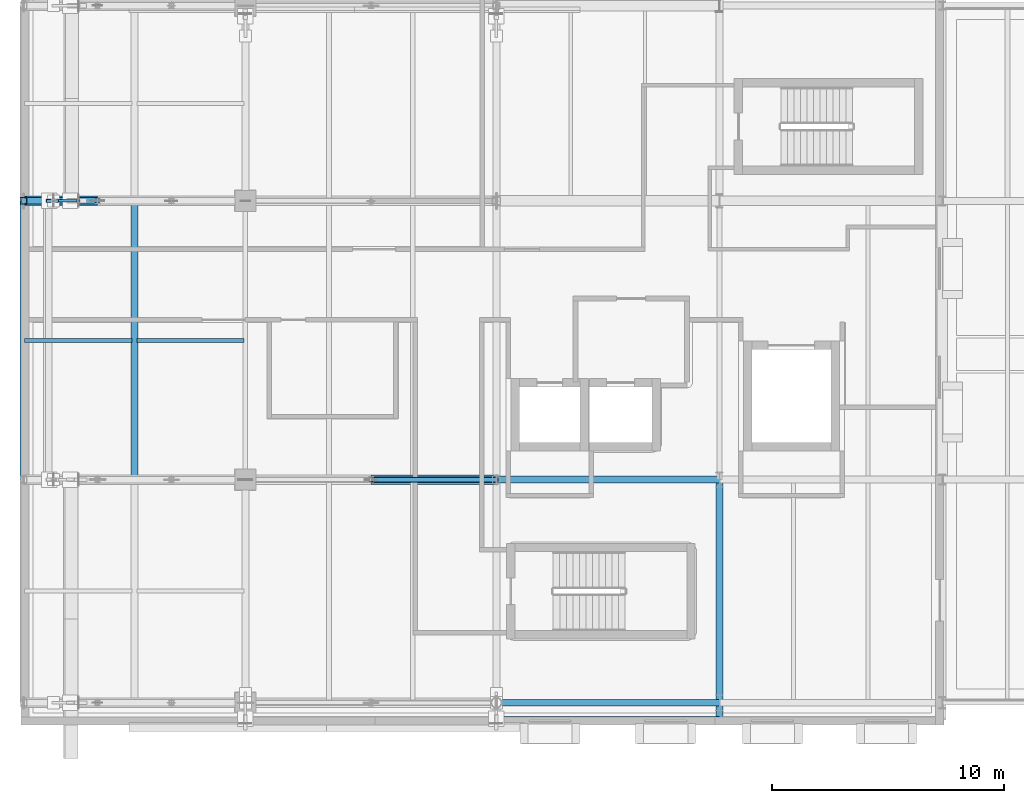
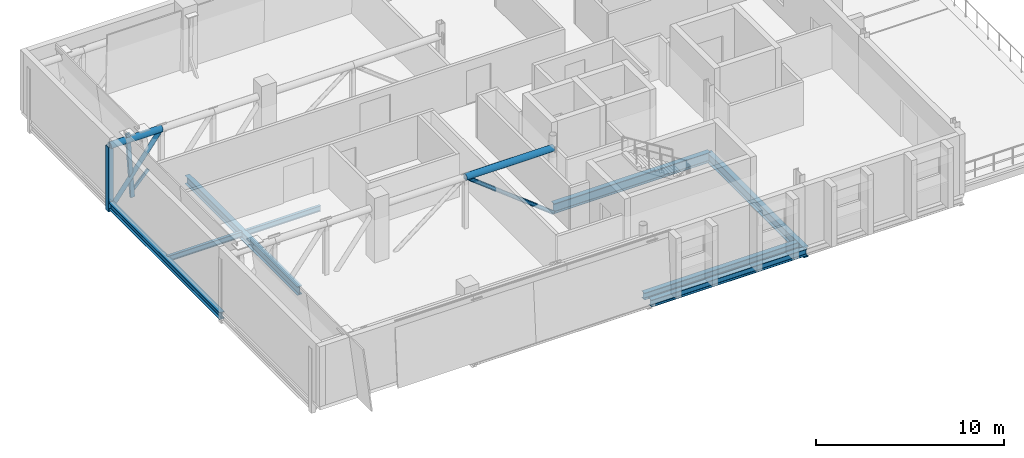
# One storey, part 11 of 89: 8 beams, 7 members.
"""IFC4 building model written with IfcOpenShell, lengths in metres."""

from ifc_helpers import new_model, si_unit, direction, frame, origin, origin_2d, place, context, subcontext, project, spatial, hollow_rectangle, hollow_circle, i_section, extrude, material, material_profile, profile_set, type_object, element, save


model = new_model("IFC4")

# Units and contexts
model_context = context("Model", 3, precision=1e-05, world=origin(), true_north=direction((0.0, 1.0)))
body_context = subcontext(model_context, "Body", "Model", "MODEL_VIEW")
ifc_project = project(units=[si_unit("LENGTHUNIT", "METRE"), si_unit("AREAUNIT", "SQUARE_METRE"), si_unit("VOLUMEUNIT", "CUBIC_METRE"), si_unit("PLANEANGLEUNIT", "RADIAN"), si_unit("MASSUNIT", "GRAM", prefix="KILO")], contexts=[model_context])

# Site, building, storey
site_placement = place(None, origin())
site = spatial("IfcSite", under=ifc_project, at=site_placement, CompositionType="ELEMENT")
building_placement = place(site_placement, origin())
building = spatial("IfcBuilding", under=site, at=building_placement, Name="Zereglee Splitstone Museum", CompositionType="ELEMENT")
storey_placement = place(building_placement, frame((0.0, 0.0, 21.300048828125)))
storey = spatial("IfcBuildingStorey", under=building, at=storey_placement, Name="L04", CompositionType="ELEMENT", Elevation=21.300048828125)

# Members
ifc_material_1 = material(Name="Steel S355J2H", Category="steel")
ifc_material_profile_1 = material_profile(ifc_material_1, hollow_circle(Radius=0.122314453125, WallThickness=0.012451171875, at=origin_2d()), Name="CHS 244.5x12.5")
ifc_profile_set_1 = profile_set([ifc_material_profile_1], Name="Steel S355J2H")
member_type_1 = type_object("IfcMemberType", Name="TB-02", PredefinedType="BRACE", material=ifc_profile_set_1)
member_1_placement = place(storey_placement, frame((20.39990234375, 9.60009765625, -0.900146484375), z_axis=(-0.78933300072, 0.0, 0.613965319847), x_axis=(0.0, -1.0, 0.0)))
element("IfcMember", 1, at=member_1_placement, inside=storey, type_object=member_type_1, Name="Cantilever Truss CT-02 Web Brace L04-5", PredefinedType="BRACE", context=body_context, shape_type="SweptSolid", body=[
    extrude(hollow_circle(Radius=0.122314453125, WallThickness=0.012451171875, at=origin_2d()), origin(), (0.0, 0.0, 1.0), 6.841064453125),
])
ifc_material_profile_2 = material_profile(ifc_material_1, hollow_circle(Radius=0.136474609375, WallThickness=0.012451171875, at=origin_2d()), Name="CHS 273.0x12.5")
ifc_profile_set_2 = profile_set([ifc_material_profile_2], Name="Steel S355J2H")
member_type_2 = type_object("IfcMemberType", Name="TB-01", PredefinedType="BRACE", material=ifc_profile_set_2)
member_2_placement = place(storey_placement, frame((0.050048828125, 21.60009765625, -0.900146484375), z_axis=(0.604024459, 0.0, 0.79696577902), x_axis=(0.0, 1.0, 0.0)))
element("IfcMember", 2, at=member_2_placement, inside=storey, type_object=member_type_2, Name="Cantilever Truss CT-03 Web Brace L04-1", PredefinedType="BRACE", context=body_context, shape_type="SweptSolid", body=[
    extrude(hollow_circle(Radius=0.136474609375, WallThickness=0.012451171875, at=origin_2d()), origin(), (0.0, 0.0, 1.0), 5.270263671875),
])
ifc_material_profile_3 = material_profile(ifc_material_1, hollow_circle(Radius=0.203125, WallThickness=0.02001953125, at=origin_2d()), Name="CHS 406.4x20")
ifc_profile_set_3 = profile_set([ifc_material_profile_3], Name="Steel S355J2H")
member_type_3 = type_object("IfcMemberType", Name="TC-03", PredefinedType="CHORD", material=ifc_profile_set_3)
member_3_placement = place(storey_placement, frame((15.0, 9.60009765625, 3.300048828125), z_axis=(1.0, 0.0, 0.0), x_axis=(0.0, 1.0, 0.0)))
element("IfcMember", 3, at=member_3_placement, inside=storey, type_object=member_type_3, Name="Cantilever Truss CT-02 Top Chord L04-5", PredefinedType="CHORD", context=body_context, shape_type="SweptSolid", body=[
    extrude(hollow_circle(Radius=0.203125, WallThickness=0.02001953125, at=origin_2d()), origin(), (0.0, 0.0, 1.0), 5.39990234375),
])
member_4_placement = place(storey_placement, frame((0.050048828125, 21.60009765625, 3.300048828125), z_axis=(1.0, 0.0, 0.0), x_axis=(0.0, 1.0, 0.0)))
element("IfcMember", 4, at=member_4_placement, inside=storey, type_object=member_type_3, Name="Cantilever Truss CT-03 Top Chord L04-1", PredefinedType="CHORD", context=body_context, shape_type="SweptSolid", body=[
    extrude(hollow_circle(Radius=0.203125, WallThickness=0.02001953125, at=origin_2d()), origin(), (0.0, 0.0, 1.0), 3.183349609375),
])

# Beams
ifc_material_2 = material(Name="Steel S355J2", Category="steel")
ifc_material_profile_4 = material_profile(ifc_material_2, i_section(OverallWidth=0.300048828125, OverallDepth=0.550048828125, WebThickness=0.014892578125, FlangeThickness=0.029052734375, FilletRadius=0.027099609375, at=origin_2d()), Name="HE 550 B")
ifc_profile_set_4 = profile_set([ifc_material_profile_4], Name="Steel S355J2")
beam_type_1 = type_object("IfcBeamType", Name="BG-11", PredefinedType="BEAM", material=ifc_profile_set_4)
beam_1_placement = place(storey_placement, frame((4.824951171875, 9.60009765625, -0.53515625), z_axis=(0.0, 1.0, 0.0), x_axis=(-1.0, 0.0, 0.0)))
element("IfcBeam", 5, at=beam_1_placement, inside=storey, type_object=beam_type_1, Name="Cantilever Transverse Girder L04 X=4.83", PredefinedType="BEAM", context=body_context, shape_type="SweptSolid", body=[
    extrude(i_section(OverallWidth=0.300048828125, OverallDepth=0.550048828125, WebThickness=0.014892578125, FlangeThickness=0.029052734375, FilletRadius=0.027099609375, at=origin_2d()), origin(), (0.0, 0.0, 1.0), 12.0),
])
ifc_material_profile_5 = material_profile(ifc_material_2, i_section(OverallWidth=0.300048828125, OverallDepth=0.64990234375, WebThickness=0.01611328125, FlangeThickness=0.031005859375, FilletRadius=0.027099609375, at=origin_2d()), Name="HE 650 B")
ifc_profile_set_5 = profile_set([ifc_material_profile_5], Name="Steel S355J2")
beam_type_2 = type_object("IfcBeamType", Name="BG-09", PredefinedType="BEAM", material=ifc_profile_set_5)
beam_2_placement = place(storey_placement, frame((20.39990234375, 9.60009765625, -0.5849609375), z_axis=(1.0, 0.0, 0.0), x_axis=(0.0, 1.0, 0.0)))
element("IfcBeam", 6, at=beam_2_placement, inside=storey, type_object=beam_type_2, Name="Primary Girder L04 B (20.4-30.0)", PredefinedType="BEAM", context=body_context, shape_type="SweptSolid", body=[
    extrude(i_section(OverallWidth=0.300048828125, OverallDepth=0.64990234375, WebThickness=0.01611328125, FlangeThickness=0.031005859375, FilletRadius=0.027099609375, at=origin_2d()), origin(), (0.0, 0.0, 1.0), 9.60009765625),
])
beam_3_placement = place(storey_placement, frame((30.0, -0.75, -0.5849609375), z_axis=(0.0, 1.0, 0.0), x_axis=(-1.0, 0.0, 0.0)))
element("IfcBeam", 7, at=beam_3_placement, inside=storey, type_object=beam_type_2, Name="Primary Girder L04 5 (-0.8-9.6)", PredefinedType="BEAM", context=body_context, shape_type="SweptSolid", body=[
    extrude(i_section(OverallWidth=0.300048828125, OverallDepth=0.64990234375, WebThickness=0.01611328125, FlangeThickness=0.031005859375, FilletRadius=0.027099609375, at=origin_2d()), origin(), (0.0, 0.0, 1.0), 10.35009765625),
])
ifc_material_profile_6 = material_profile(ifc_material_2, i_section(OverallWidth=0.169921875, OverallDepth=0.360107421875, WebThickness=0.008056640625, FlangeThickness=0.0126953125, FilletRadius=0.01806640625, at=origin_2d()), Name="IPE 360")
ifc_profile_set_6 = profile_set([ifc_material_profile_6], Name="Steel S355J2")
beam_type_3 = type_object("IfcBeamType", Name="BJ-04", PredefinedType="JOIST", material=ifc_profile_set_6)
beam_4_placement = place(storey_placement, frame((0.090087890625, 15.60009765625, -0.43994140625), z_axis=(1.0, 0.0, 0.0), x_axis=(0.0, 1.0, 0.0)))
element("IfcBeam", 8, at=beam_4_placement, inside=storey, type_object=beam_type_3, Name="Cantilever Floor Joist L04-1638", PredefinedType="JOIST", context=body_context, shape_type="SweptSolid", body=[
    extrude(i_section(OverallWidth=0.169921875, OverallDepth=0.360107421875, WebThickness=0.008056640625, FlangeThickness=0.0126953125, FilletRadius=0.01806640625, at=origin_2d()), origin(), (0.0, 0.0, 1.0), 4.635009765625),
])
beam_5_placement = place(storey_placement, frame((4.925048828125, 15.60009765625, -0.43994140625), z_axis=(1.0, 0.0, 0.0), x_axis=(0.0, 1.0, 0.0)))
element("IfcBeam", 9, at=beam_5_placement, inside=storey, type_object=beam_type_3, Name="Cantilever Floor Joist L04-1639", PredefinedType="JOIST", context=body_context, shape_type="SweptSolid", body=[
    extrude(i_section(OverallWidth=0.169921875, OverallDepth=0.360107421875, WebThickness=0.008056640625, FlangeThickness=0.0126953125, FilletRadius=0.01806640625, at=origin_2d()), origin(), (0.0, 0.0, 1.0), 4.625),
])

# Member
ifc_material_profile_7 = material_profile(ifc_material_1, hollow_rectangle(XDim=0.300048828125, YDim=0.300048828125, WallThickness=0.01611328125, at=origin_2d()), Name="SHS 300x300x16")
ifc_profile_set_7 = profile_set([ifc_material_profile_7], Name="Steel S355J2H")
member_type_4 = type_object("IfcMemberType", Name="TP-01", PredefinedType="POST", material=ifc_profile_set_7)
member_5_placement = place(storey_placement, frame((0.050048828125, 21.60009765625, -0.900146484375), z_axis=(0.0, 0.0, 1.0), x_axis=(1.0, 0.0, 0.0)))
element("IfcMember", 10, at=member_5_placement, inside=storey, type_object=member_type_4, Name="Cantilever Truss CT-03 Post L04-1", PredefinedType="POST", context=body_context, shape_type="SweptSolid", body=[
    extrude(hollow_rectangle(XDim=0.300048828125, YDim=0.300048828125, WallThickness=0.01611328125, at=origin_2d()), origin(), (0.0, 0.0, 1.0), 4.2001953125),
])

# Beams
ifc_material_profile_8 = material_profile(ifc_material_2, i_section(OverallWidth=0.300048828125, OverallDepth=0.449951171875, WebThickness=0.013916015625, FlangeThickness=0.02587890625, FilletRadius=0.027099609375, at=origin_2d()), Name="HE 450 B")
ifc_profile_set_8 = profile_set([ifc_material_profile_8], Name="Steel S355J2")
beam_type_4 = type_object("IfcBeamType", Name="SP-02", PredefinedType="SPANDREL", material=ifc_profile_set_8)
for number, where, z_axis, x_axis, name in (
    (11, (20.39990234375, 0.0, -0.485107421875), (1.0, 0.0, 0.0), (0.0, 1.0, 0.0), "Primary Girder L04 A (20.4-30.0)"),
    (12, (20.39990234375, -0.75, -0.485107421875), (1.0, 0.0, 0.0), (0.0, 1.0, 0.0), "Hovering Soffit Spandrel L04 (20.4-30.0)"),
):
    element("IfcBeam", number, at=place(storey_placement, frame(where, z_axis=z_axis, x_axis=x_axis)), inside=storey, type_object=beam_type_4, Name=name, PredefinedType="SPANDREL", context=body_context, shape_type="SweptSolid", body=[
        extrude(i_section(OverallWidth=0.300048828125, OverallDepth=0.449951171875, WebThickness=0.013916015625, FlangeThickness=0.02587890625, FilletRadius=0.027099609375, at=origin_2d()), origin(), (0.0, 0.0, 1.0), 9.60009765625),
    ])
beam_6_placement = place(storey_placement, frame((0.050048828125, 9.60009765625, -0.485107421875), z_axis=(0.0, 1.0, 0.0), x_axis=(-1.0, 0.0, 0.0)))
element("IfcBeam", 13, at=beam_6_placement, inside=storey, type_object=beam_type_4, Name="Cantilever Transverse Girder L04 X=0.05", PredefinedType="SPANDREL", context=body_context, shape_type="SweptSolid", body=[
    extrude(i_section(OverallWidth=0.300048828125, OverallDepth=0.449951171875, WebThickness=0.013916015625, FlangeThickness=0.02587890625, FilletRadius=0.027099609375, at=origin_2d()), origin(), (0.0, 0.0, 1.0), 12.0),
])

# Members
ifc_material_profile_9 = material_profile(ifc_material_1, hollow_rectangle(XDim=0.14990234375, YDim=0.25, WallThickness=0.010009765625, at=origin_2d()), Name="RHS 250x150x10")
ifc_profile_set_9 = profile_set([ifc_material_profile_9], Name="Steel S355J2H")
member_type_5 = type_object("IfcMemberType", Name="FS-R2", PredefinedType="STRUT", material=ifc_profile_set_9)
member_6_placement = place(storey_placement, frame((1.440185546875, 21.60009765625, -0.510009765625), z_axis=(-0.06775164097, 0.0, 0.997702217671), x_axis=(0.0, -1.0, 0.0)))
element("IfcMember", 14, at=member_6_placement, inside=storey, type_object=member_type_5, Name="Split-Rock Continuous Facet Strut FH-V1W-M L04-02", PredefinedType="STRUT", context=body_context, shape_type="SweptSolid", body=[
    extrude(hollow_rectangle(XDim=0.14990234375, YDim=0.25, WallThickness=0.010009765625, at=origin_2d()), origin(), (0.0, 0.0, 1.0), 4.2197265625),
])
ifc_material_profile_10 = material_profile(ifc_material_1, hollow_rectangle(XDim=0.10009765625, YDim=0.179931640625, WallThickness=0.008056640625, at=origin_2d()), Name="RHS 180x100x8")
ifc_profile_set_10 = profile_set([ifc_material_profile_10], Name="Steel S355J2H")
member_type_6 = type_object("IfcMemberType", Name="FS-T2", PredefinedType="STRUT", material=ifc_profile_set_10)
member_7_placement = place(storey_placement, frame((1.35009765625, 21.60009765625, -0.219970703125), z_axis=(0.679069042428, 0.0, 0.734074407411), x_axis=(0.0, 1.0, 0.0)))
element("IfcMember", 15, at=member_7_placement, inside=storey, type_object=member_type_6, Name="Facet Tie-Back Strut FH-V1W-N L04-01", PredefinedType="STRUT", context=body_context, shape_type="SweptSolid", body=[
    extrude(hollow_rectangle(XDim=0.10009765625, YDim=0.179931640625, WallThickness=0.008056640625, at=origin_2d()), origin(), (0.0, 0.0, 1.0), 1.580078125),
])

save(model, "model.ifc")
